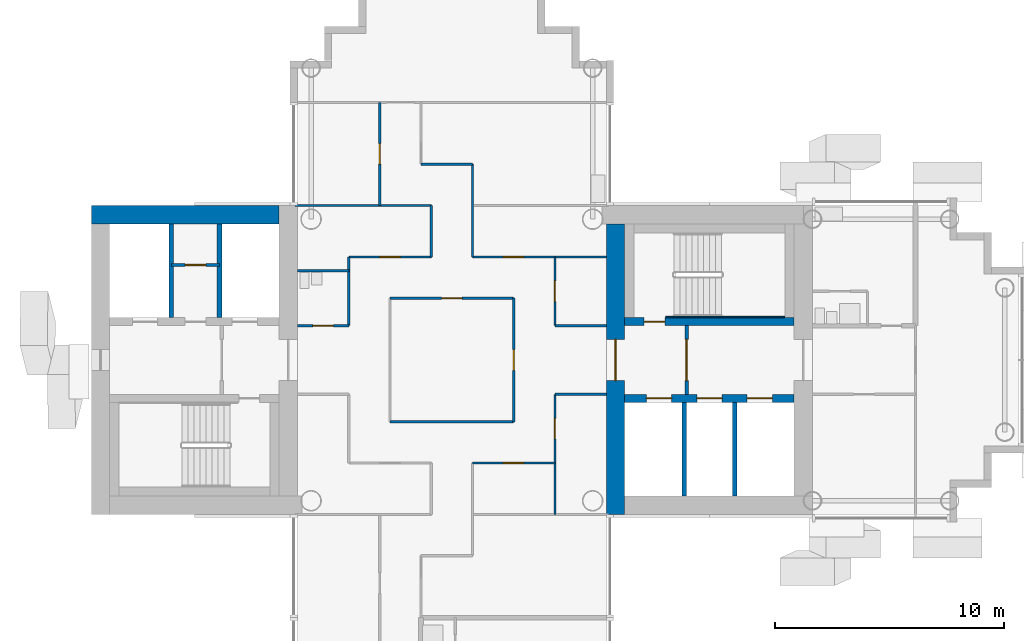
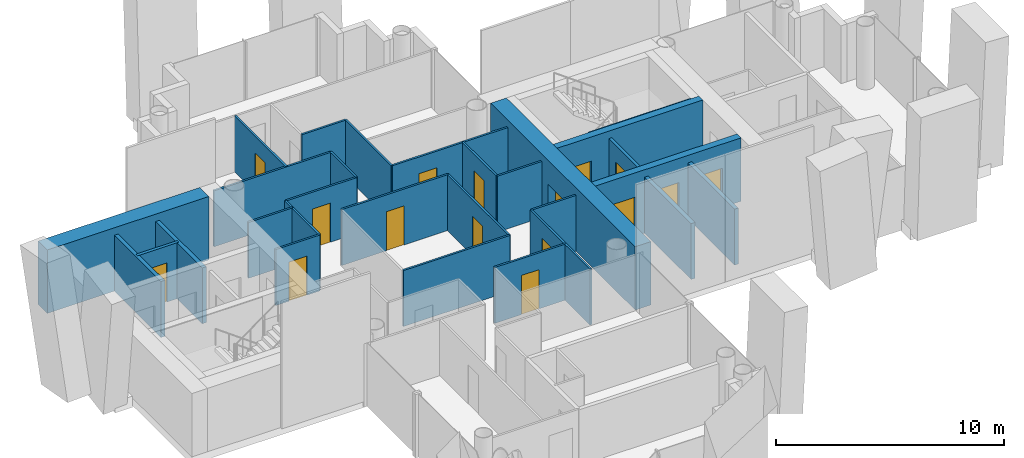
# One storey, part 7 of 19: 29 walls, 16 doors, 16 openings.
"""IFC4 building model written with IfcOpenShell, lengths in metres."""

from ifc_helpers import new_model, si_unit, direction, frame, frame_2d, origin, place, context, subcontext, project, spatial, rectangle, extrude, material, layer, layer_set, type_object, element, fill, save


model = new_model("IFC4")

# Units and contexts
model_context = context("Model", 3, precision=1e-05, world=origin(), true_north=direction((0.0, 1.0)))
body_context = subcontext(model_context, "Body", "Model", "MODEL_VIEW")
ifc_project = project(units=[si_unit("LENGTHUNIT", "METRE"), si_unit("AREAUNIT", "SQUARE_METRE"), si_unit("VOLUMEUNIT", "CUBIC_METRE"), si_unit("PLANEANGLEUNIT", "RADIAN"), si_unit("MASSUNIT", "GRAM", prefix="KILO")], contexts=[model_context])

# Site, building, storey
site_placement = place(None, origin())
site = spatial("IfcSite", under=ifc_project, at=site_placement, CompositionType="ELEMENT")
building_placement = place(site_placement, origin())
building = spatial("IfcBuilding", under=site, at=building_placement, Name="Ipe Terrace Towers", CompositionType="ELEMENT")
storey_placement = place(building_placement, frame((0.0, 0.0, 157.5)))
storey = spatial("IfcBuildingStorey", under=building, at=storey_placement, Name="L43", CompositionType="ELEMENT", Elevation=157.5)

# Wall
ifc_material_1 = material(Name="Gypsum board partition", Category="plasterboard")
ifc_layer_1 = layer(ifc_material_1, 0.10009765625)
ifc_layer_set_1 = layer_set([ifc_layer_1], Name="Gypsum board partition 100 mm")
wall_type_1 = type_object("IfcWallType", Name="Gypsum board partition 100 mm", PredefinedType="PARTITIONING", material=ifc_layer_set_1)
wall_1_placement = place(storey_placement, frame((-40.5, 1.5, 0.0), z_axis=(0.0, 0.0, 1.0), x_axis=(0.0, 1.0, 0.0)))
element("IfcWall", 1, at=wall_1_placement, inside=storey, type_object=wall_type_1, Name="Gypsum board partition T1 L43 W02", PredefinedType="PARTITIONING", context=body_context, shape_type="SweptSolid", body=[
    extrude(rectangle(XDim=3.0, YDim=0.10009765625, at=frame_2d((1.5, 0.0))), origin(), (0.0, 0.0, 1.0), 3.0),
])

# Wall, opening, door
wall_2_placement = place(storey_placement, frame((-39.14990234375, 6.75, 0.0), z_axis=(0.0, 0.0, 1.0), x_axis=(0.0, 1.0, 0.0)))
wall_2 = element("IfcWall", 2, at=wall_2_placement, inside=storey, type_object=wall_type_1, Name="Gypsum board partition T1 L43 W04", PredefinedType="PARTITIONING", context=body_context, shape_type="SweptSolid", body=[
    extrude(rectangle(XDim=4.5, YDim=0.10009765625, at=frame_2d((2.25, 0.0))), origin(), (0.0, 0.0, 1.0), 3.0),
])
opening_1_placement = place(wall_2_placement, frame((1.800048828125, 0.0, 0.0)))
opening_1 = element("IfcOpeningElement", 3, at=opening_1_placement, cuts=wall_2, Name="Opening T1-Z3C-10", PredefinedType="OPENING", context=body_context, shape_type="SweptSolid", body=[
    extrude(rectangle(XDim=0.89990234375, YDim=2.10009765625, at=frame_2d((0.449951171875, 1.050048828125))), frame((0.0, 0.06005859375, 0.0), z_axis=(0.0, -1.0, 0.0), x_axis=(1.0, 0.0, 0.0)), (0.0, 0.0, 1.0), 0.1201171875),
])
ifc_material_2 = material(Name="Timber door leaf", Category="wood")
door_type_1 = type_object("IfcDoorType", Name="Lounge door 900 x 2100", OperationType="NOTDEFINED", PredefinedType="DOOR", material=ifc_material_2)
door_1_placement = place(opening_1_placement, origin())
door_1 = element("IfcDoor", 4, at=door_1_placement, inside=storey, type_object=door_type_1, Name="Lounge door T1-Z3C-10", OperationType="SINGLE_SWING_LEFT", OverallHeight=2.10009765625, OverallWidth=0.89990234375, PredefinedType="DOOR", context=body_context, shape_type="SweptSolid", body=[
    extrude(rectangle(XDim=0.89990234375, YDim=2.10009765625, at=frame_2d((0.449951171875, 1.050048828125))), frame((0.0, 0.02490234375, 0.0), z_axis=(0.0, -1.0, 0.0), x_axis=(1.0, 0.0, 0.0)), (0.0, 0.0, 1.0), 0.050048828125),
])
fill(opening_1, door_1)

# Walls
wall_3_placement = place(storey_placement, frame((-36.89990234375, 4.5, 0.0), z_axis=(0.0, 0.0, 1.0), x_axis=(0.0, 1.0, 0.0)))
element("IfcWall", 5, at=wall_3_placement, inside=storey, type_object=wall_type_1, Name="Gypsum board partition T1 L43 W10", PredefinedType="PARTITIONING", context=body_context, shape_type="SweptSolid", body=[
    extrude(rectangle(XDim=2.25, YDim=0.10009765625, at=frame_2d((1.125, 0.0))), origin(), (0.0, 0.0, 1.0), 3.0),
])
wall_4_placement = place(storey_placement, frame((-35.10009765625, 4.5, 0.0), z_axis=(0.0, 0.0, 1.0), x_axis=(0.0, 1.0, 0.0)))
element("IfcWall", 6, at=wall_4_placement, inside=storey, type_object=wall_type_1, Name="Gypsum board partition T1 L43 W13", PredefinedType="PARTITIONING", context=body_context, shape_type="SweptSolid", body=[
    extrude(rectangle(XDim=4.050048828125, YDim=0.10009765625, at=frame_2d((2.02490234375, 0.0))), origin(), (0.0, 0.0, 1.0), 3.0),
])

# Wall, opening, door
wall_5_placement = place(storey_placement, frame((-33.300048828125, -2.699951171875, 0.0), z_axis=(0.0, 0.0, 1.0), x_axis=(0.0, 1.0, 0.0)))
wall_5 = element("IfcWall", 7, at=wall_5_placement, inside=storey, type_object=wall_type_1, Name="Gypsum board partition T1 L43 W14", PredefinedType="PARTITIONING", context=body_context, shape_type="SweptSolid", body=[
    extrude(rectangle(XDim=5.39990234375, YDim=0.10009765625, at=frame_2d((2.699951171875, 0.0))), origin(), (0.0, 0.0, 1.0), 3.0),
])
opening_2_placement = place(wall_5_placement, frame((2.25, 0.0, 0.0)))
opening_2 = element("IfcOpeningElement", 8, at=opening_2_placement, cuts=wall_5, Name="Opening T1-Z3C-02", PredefinedType="OPENING", context=body_context, shape_type="SweptSolid", body=[
    extrude(rectangle(XDim=0.89990234375, YDim=2.10009765625, at=frame_2d((0.449951171875, 1.050048828125))), frame((0.0, 0.06005859375, 0.0), z_axis=(0.0, -1.0, 0.0), x_axis=(1.0, 0.0, 0.0)), (0.0, 0.0, 1.0), 0.1201171875),
])
door_2_placement = place(opening_2_placement, origin())
door_2 = element("IfcDoor", 9, at=door_2_placement, inside=storey, type_object=door_type_1, Name="Lounge door T1-Z3C-02", OperationType="SINGLE_SWING_LEFT", OverallHeight=2.10009765625, OverallWidth=0.89990234375, PredefinedType="DOOR", context=body_context, shape_type="SweptSolid", body=[
    extrude(rectangle(XDim=0.89990234375, YDim=2.10009765625, at=frame_2d((0.449951171875, 1.050048828125))), frame((0.0, 0.02490234375, 0.0), z_axis=(0.0, -1.0, 0.0), x_axis=(1.0, 0.0, 0.0)), (0.0, 0.0, 1.0), 0.050048828125),
])
fill(opening_2, door_2)

wall_6_placement = place(storey_placement, frame((-31.5, -6.75, 0.0), z_axis=(0.0, 0.0, 1.0), x_axis=(0.0, 1.0, 0.0)))
wall_6 = element("IfcWall", 10, at=wall_6_placement, inside=storey, type_object=wall_type_1, Name="Gypsum board partition T1 L43 W15", PredefinedType="PARTITIONING", context=body_context, shape_type="SweptSolid", body=[
    extrude(rectangle(XDim=5.25, YDim=0.10009765625, at=frame_2d((2.625, 0.0))), origin(), (0.0, 0.0, 1.0), 3.0),
])
opening_3_placement = place(wall_6_placement, frame((3.300048828125, 0.0, 0.0)))
opening_3 = element("IfcOpeningElement", 11, at=opening_3_placement, cuts=wall_6, Name="Opening T1-Z3C-09", PredefinedType="OPENING", context=body_context, shape_type="SweptSolid", body=[
    extrude(rectangle(XDim=0.89990234375, YDim=2.10009765625, at=frame_2d((0.449951171875, 1.050048828125))), frame((0.0, 0.06005859375, 0.0), z_axis=(0.0, -1.0, 0.0), x_axis=(1.0, 0.0, 0.0)), (0.0, 0.0, 1.0), 0.1201171875),
])
door_3_placement = place(opening_3_placement, origin())
door_3 = element("IfcDoor", 12, at=door_3_placement, inside=storey, type_object=door_type_1, Name="Lounge door T1-Z3C-09", OperationType="SINGLE_SWING_RIGHT", OverallHeight=2.10009765625, OverallWidth=0.89990234375, PredefinedType="DOOR", context=body_context, shape_type="SweptSolid", body=[
    extrude(rectangle(XDim=0.89990234375, YDim=2.10009765625, at=frame_2d((0.449951171875, 1.050048828125))), frame((0.0, 0.02490234375, 0.0), z_axis=(0.0, -1.0, 0.0), x_axis=(1.0, 0.0, 0.0)), (0.0, 0.0, 1.0), 0.050048828125),
])
fill(opening_3, door_3)

wall_7_placement = place(storey_placement, frame((-31.5, 1.5, 0.0), z_axis=(0.0, 0.0, 1.0), x_axis=(0.0, 1.0, 0.0)))
wall_7 = element("IfcWall", 13, at=wall_7_placement, inside=storey, type_object=wall_type_1, Name="Gypsum board partition T1 L43 W16", PredefinedType="PARTITIONING", context=body_context, shape_type="SweptSolid", body=[
    extrude(rectangle(XDim=3.0, YDim=0.10009765625, at=frame_2d((1.5, 0.0))), origin(), (0.0, 0.0, 1.0), 3.0),
])
opening_4_placement = place(wall_7_placement, frame((1.050048828125, 0.0, 0.0)))
opening_4 = element("IfcOpeningElement", 14, at=opening_4_placement, cuts=wall_7, Name="Opening T1-Z3C-05", PredefinedType="OPENING", context=body_context, shape_type="SweptSolid", body=[
    extrude(rectangle(XDim=0.89990234375, YDim=2.10009765625, at=frame_2d((0.449951171875, 1.050048828125))), frame((0.0, 0.06005859375, 0.0), z_axis=(0.0, -1.0, 0.0), x_axis=(1.0, 0.0, 0.0)), (0.0, 0.0, 1.0), 0.1201171875),
])
door_4_placement = place(opening_4_placement, origin())
door_4 = element("IfcDoor", 15, at=door_4_placement, inside=storey, type_object=door_type_1, Name="Lounge door T1-Z3C-05", OperationType="SINGLE_SWING_RIGHT", OverallHeight=2.10009765625, OverallWidth=0.89990234375, PredefinedType="DOOR", context=body_context, shape_type="SweptSolid", body=[
    extrude(rectangle(XDim=0.89990234375, YDim=2.10009765625, at=frame_2d((0.449951171875, 1.050048828125))), frame((0.0, 0.02490234375, 0.0), z_axis=(0.0, -1.0, 0.0), x_axis=(1.0, 0.0, 0.0)), (0.0, 0.0, 1.0), 0.050048828125),
])
fill(opening_4, door_4)

wall_8_placement = place(storey_placement, frame((-35.10009765625, -4.5, 0.0), z_axis=(0.0, 0.0, 1.0), x_axis=(1.0, 0.0, 0.0)))
wall_8 = element("IfcWall", 16, at=wall_8_placement, inside=storey, type_object=wall_type_1, Name="Gypsum board partition T1 L43 W28", PredefinedType="PARTITIONING", context=body_context, shape_type="SweptSolid", body=[
    extrude(rectangle(XDim=3.60009765625, YDim=0.10009765625, at=frame_2d((1.800048828125, 0.0))), origin(), (0.0, 0.0, 1.0), 3.0),
])
opening_5_placement = place(wall_8_placement, frame((1.35009765625, 0.0, 0.0)))
opening_5 = element("IfcOpeningElement", 17, at=opening_5_placement, cuts=wall_8, Name="Opening T1-Z3C-08", PredefinedType="OPENING", context=body_context, shape_type="SweptSolid", body=[
    extrude(rectangle(XDim=0.89990234375, YDim=2.10009765625, at=frame_2d((0.449951171875, 1.050048828125))), frame((0.0, 0.06005859375, 0.0), z_axis=(0.0, -1.0, 0.0), x_axis=(1.0, 0.0, 0.0)), (0.0, 0.0, 1.0), 0.1201171875),
])
door_5_placement = place(opening_5_placement, origin())
door_5 = element("IfcDoor", 18, at=door_5_placement, inside=storey, type_object=door_type_1, Name="Lounge door T1-Z3C-08", OperationType="SINGLE_SWING_RIGHT", OverallHeight=2.10009765625, OverallWidth=0.89990234375, PredefinedType="DOOR", context=body_context, shape_type="SweptSolid", body=[
    extrude(rectangle(XDim=0.89990234375, YDim=2.10009765625, at=frame_2d((0.449951171875, 1.050048828125))), frame((0.0, 0.02490234375, 0.0), z_axis=(0.0, -1.0, 0.0), x_axis=(1.0, 0.0, 0.0)), (0.0, 0.0, 1.0), 0.050048828125),
])
fill(opening_5, door_5)

# Walls
wall_9_placement = place(storey_placement, frame((-38.699951171875, -2.699951171875, 0.0), z_axis=(0.0, 0.0, 1.0), x_axis=(1.0, 0.0, 0.0)))
element("IfcWall", 19, at=wall_9_placement, inside=storey, type_object=wall_type_1, Name="Gypsum board partition T1 L43 W29", PredefinedType="PARTITIONING", context=body_context, shape_type="SweptSolid", body=[
    extrude(rectangle(XDim=5.39990234375, YDim=0.10009765625, at=frame_2d((2.699951171875, 0.0))), origin(), (0.0, 0.0, 1.0), 3.0),
])
wall_10_placement = place(storey_placement, frame((-31.5, -1.5, 0.0), z_axis=(0.0, 0.0, 1.0), x_axis=(1.0, 0.0, 0.0)))
element("IfcWall", 20, at=wall_10_placement, inside=storey, type_object=wall_type_1, Name="Gypsum board partition T1 L43 W31", PredefinedType="PARTITIONING", context=body_context, shape_type="SweptSolid", body=[
    extrude(rectangle(XDim=2.25, YDim=0.10009765625, at=frame_2d((1.125, 0.0))), origin(), (0.0, 0.0, 1.0), 3.0),
])

# Wall, opening, door
wall_11_placement = place(storey_placement, frame((-42.75, 1.5, 0.0), z_axis=(0.0, 0.0, 1.0), x_axis=(1.0, 0.0, 0.0)))
wall_11 = element("IfcWall", 21, at=wall_11_placement, inside=storey, type_object=wall_type_1, Name="Gypsum board partition T1 L43 W33", PredefinedType="PARTITIONING", context=body_context, shape_type="SweptSolid", body=[
    extrude(rectangle(XDim=2.25, YDim=0.10009765625, at=frame_2d((1.125, 0.0))), origin(), (0.0, 0.0, 1.0), 3.0),
])
opening_6_placement = place(wall_11_placement, frame((0.675048828125, 0.0, 0.0)))
opening_6 = element("IfcOpeningElement", 22, at=opening_6_placement, cuts=wall_11, Name="Opening T1-Z3C-03", PredefinedType="OPENING", context=body_context, shape_type="SweptSolid", body=[
    extrude(rectangle(XDim=0.89990234375, YDim=2.10009765625, at=frame_2d((0.449951171875, 1.050048828125))), frame((0.0, 0.06005859375, 0.0), z_axis=(0.0, -1.0, 0.0), x_axis=(1.0, 0.0, 0.0)), (0.0, 0.0, 1.0), 0.1201171875),
])
ifc_material_3 = material(Name="Timber door leaf", Category="wood")
door_type_2 = type_object("IfcDoorType", Name="Bathroom door 900 x 2100", OperationType="NOTDEFINED", PredefinedType="DOOR", material=ifc_material_3)
door_6_placement = place(opening_6_placement, origin())
door_6 = element("IfcDoor", 23, at=door_6_placement, inside=storey, type_object=door_type_2, Name="Bathroom door T1-Z3C-03", OperationType="SINGLE_SWING_LEFT", OverallHeight=2.10009765625, OverallWidth=0.89990234375, PredefinedType="DOOR", context=body_context, shape_type="SweptSolid", body=[
    extrude(rectangle(XDim=0.89990234375, YDim=2.10009765625, at=frame_2d((0.449951171875, 1.050048828125))), frame((0.0, 0.02490234375, 0.0), z_axis=(0.0, -1.0, 0.0), x_axis=(1.0, 0.0, 0.0)), (0.0, 0.0, 1.0), 0.050048828125),
])
fill(opening_6, door_6)

# Wall
wall_12_placement = place(storey_placement, frame((-31.5, 1.5, 0.0), z_axis=(0.0, 0.0, 1.0), x_axis=(1.0, 0.0, 0.0)))
element("IfcWall", 24, at=wall_12_placement, inside=storey, type_object=wall_type_1, Name="Gypsum board partition T1 L43 W34", PredefinedType="PARTITIONING", context=body_context, shape_type="SweptSolid", body=[
    extrude(rectangle(XDim=2.25, YDim=0.10009765625, at=frame_2d((1.125, 0.0))), origin(), (0.0, 0.0, 1.0), 3.0),
])

# Wall, opening, door
wall_13_placement = place(storey_placement, frame((-38.699951171875, 2.699951171875, 0.0), z_axis=(0.0, 0.0, 1.0), x_axis=(1.0, 0.0, 0.0)))
wall_13 = element("IfcWall", 25, at=wall_13_placement, inside=storey, type_object=wall_type_1, Name="Gypsum board partition T1 L43 W36", PredefinedType="PARTITIONING", context=body_context, shape_type="SweptSolid", body=[
    extrude(rectangle(XDim=5.39990234375, YDim=0.10009765625, at=frame_2d((2.699951171875, 0.0))), origin(), (0.0, 0.0, 1.0), 3.0),
])
opening_7_placement = place(wall_13_placement, frame((2.25, 0.0, 0.0)))
opening_7 = element("IfcOpeningElement", 26, at=opening_7_placement, cuts=wall_13, Name="Opening T1-Z3C-01", PredefinedType="OPENING", context=body_context, shape_type="SweptSolid", body=[
    extrude(rectangle(XDim=0.89990234375, YDim=2.10009765625, at=frame_2d((0.449951171875, 1.050048828125))), frame((0.0, 0.06005859375, 0.0), z_axis=(0.0, -1.0, 0.0), x_axis=(1.0, 0.0, 0.0)), (0.0, 0.0, 1.0), 0.1201171875),
])
door_7_placement = place(opening_7_placement, origin())
door_7 = element("IfcDoor", 27, at=door_7_placement, inside=storey, type_object=door_type_1, Name="Lounge door T1-Z3C-01", OperationType="SINGLE_SWING_RIGHT", OverallHeight=2.10009765625, OverallWidth=0.89990234375, PredefinedType="DOOR", context=body_context, shape_type="SweptSolid", body=[
    extrude(rectangle(XDim=0.89990234375, YDim=2.10009765625, at=frame_2d((0.449951171875, 1.050048828125))), frame((0.0, 0.02490234375, 0.0), z_axis=(0.0, -1.0, 0.0), x_axis=(1.0, 0.0, 0.0)), (0.0, 0.0, 1.0), 0.050048828125),
])
fill(opening_7, door_7)

# Wall
wall_14_placement = place(storey_placement, frame((-42.75, 3.89990234375, 0.0), z_axis=(0.0, 0.0, 1.0), x_axis=(1.0, 0.0, 0.0)))
element("IfcWall", 28, at=wall_14_placement, inside=storey, type_object=wall_type_1, Name="Gypsum board partition T1 L43 W38", PredefinedType="PARTITIONING", context=body_context, shape_type="SweptSolid", body=[
    extrude(rectangle(XDim=2.25, YDim=0.10009765625, at=frame_2d((1.125, 0.0))), origin(), (0.0, 0.0, 1.0), 3.0),
])

# Wall, opening, door
wall_15_placement = place(storey_placement, frame((-40.5, 4.5, 0.0), z_axis=(0.0, 0.0, 1.0), x_axis=(1.0, 0.0, 0.0)))
wall_15 = element("IfcWall", 29, at=wall_15_placement, inside=storey, type_object=wall_type_1, Name="Gypsum board partition T1 L43 W39", PredefinedType="PARTITIONING", context=body_context, shape_type="SweptSolid", body=[
    extrude(rectangle(XDim=3.60009765625, YDim=0.10009765625, at=frame_2d((1.800048828125, 0.0))), origin(), (0.0, 0.0, 1.0), 3.0),
])
opening_8_placement = place(wall_15_placement, frame((1.35009765625, 0.0, 0.0)))
opening_8 = element("IfcOpeningElement", 30, at=opening_8_placement, cuts=wall_15, Name="Opening T1-Z3C-06", PredefinedType="OPENING", context=body_context, shape_type="SweptSolid", body=[
    extrude(rectangle(XDim=0.89990234375, YDim=2.10009765625, at=frame_2d((0.449951171875, 1.050048828125))), frame((0.0, 0.06005859375, 0.0), z_axis=(0.0, -1.0, 0.0), x_axis=(1.0, 0.0, 0.0)), (0.0, 0.0, 1.0), 0.1201171875),
])
door_8_placement = place(opening_8_placement, origin())
door_8 = element("IfcDoor", 31, at=door_8_placement, inside=storey, type_object=door_type_1, Name="Lounge door T1-Z3C-06", OperationType="SINGLE_SWING_RIGHT", OverallHeight=2.10009765625, OverallWidth=0.89990234375, PredefinedType="DOOR", context=body_context, shape_type="SweptSolid", body=[
    extrude(rectangle(XDim=0.89990234375, YDim=2.10009765625, at=frame_2d((0.449951171875, 1.050048828125))), frame((0.0, 0.02490234375, 0.0), z_axis=(0.0, -1.0, 0.0), x_axis=(1.0, 0.0, 0.0)), (0.0, 0.0, 1.0), 0.050048828125),
])
fill(opening_8, door_8)

wall_16_placement = place(storey_placement, frame((-35.10009765625, 4.5, 0.0), z_axis=(0.0, 0.0, 1.0), x_axis=(1.0, 0.0, 0.0)))
wall_16 = element("IfcWall", 32, at=wall_16_placement, inside=storey, type_object=wall_type_1, Name="Gypsum board partition T1 L43 W40", PredefinedType="PARTITIONING", context=body_context, shape_type="SweptSolid", body=[
    extrude(rectangle(XDim=5.85009765625, YDim=0.10009765625, at=frame_2d((2.925048828125, 0.0))), origin(), (0.0, 0.0, 1.0), 3.0),
])
opening_9_placement = place(wall_16_placement, frame((1.35009765625, 0.0, 0.0)))
opening_9 = element("IfcOpeningElement", 33, at=opening_9_placement, cuts=wall_16, Name="Opening T1-Z3C-04", PredefinedType="OPENING", context=body_context, shape_type="SweptSolid", body=[
    extrude(rectangle(XDim=0.89990234375, YDim=2.10009765625, at=frame_2d((0.449951171875, 1.050048828125))), frame((0.0, 0.06005859375, 0.0), z_axis=(0.0, -1.0, 0.0), x_axis=(1.0, 0.0, 0.0)), (0.0, 0.0, 1.0), 0.1201171875),
])
door_9_placement = place(opening_9_placement, origin())
door_9 = element("IfcDoor", 34, at=door_9_placement, inside=storey, type_object=door_type_1, Name="Lounge door T1-Z3C-04", OperationType="SINGLE_SWING_RIGHT", OverallHeight=2.10009765625, OverallWidth=0.89990234375, PredefinedType="DOOR", context=body_context, shape_type="SweptSolid", body=[
    extrude(rectangle(XDim=0.89990234375, YDim=2.10009765625, at=frame_2d((0.449951171875, 1.050048828125))), frame((0.0, 0.02490234375, 0.0), z_axis=(0.0, -1.0, 0.0), x_axis=(1.0, 0.0, 0.0)), (0.0, 0.0, 1.0), 0.050048828125),
])
fill(opening_9, door_9)

# Walls
wall_17_placement = place(storey_placement, frame((-42.85009765625, 6.75, 0.0), z_axis=(0.0, 0.0, 1.0), x_axis=(1.0, 0.0, 0.0)))
element("IfcWall", 35, at=wall_17_placement, inside=storey, type_object=wall_type_1, Name="Gypsum board partition T1 L43 W41", PredefinedType="PARTITIONING", context=body_context, shape_type="SweptSolid", body=[
    extrude(rectangle(XDim=5.9501953125, YDim=0.10009765625, at=frame_2d((2.97509765625, 0.0))), origin(), (0.0, 0.0, 1.0), 3.0),
])
wall_18_placement = place(storey_placement, frame((-37.35009765625, 8.550048828125, 0.0), z_axis=(0.0, 0.0, 1.0), x_axis=(1.0, 0.0, 0.0)))
element("IfcWall", 36, at=wall_18_placement, inside=storey, type_object=wall_type_1, Name="Gypsum board partition T1 L43 W43", PredefinedType="PARTITIONING", context=body_context, shape_type="SweptSolid", body=[
    extrude(rectangle(XDim=2.25, YDim=0.10009765625, at=frame_2d((1.125, 0.0))), origin(), (0.0, 0.0, 1.0), 3.0),
])

# Wall, opening, door
ifc_material_4 = material(Name="Gypsum board partition", Category="plasterboard")
ifc_layer_2 = layer(ifc_material_4, 0.14990234375)
ifc_layer_set_2 = layer_set([ifc_layer_2], Name="Gypsum board partition 150 mm")
wall_type_2 = type_object("IfcWallType", Name="Gypsum board partition 150 mm", PredefinedType="PARTITIONING", material=ifc_layer_set_2)
wall_19_placement = place(storey_placement, frame((-25.75, -1.5, 0.0), z_axis=(0.0, 0.0, 1.0), x_axis=(0.0, 1.0, 0.0)))
wall_19 = element("IfcWall", 37, at=wall_19_placement, inside=storey, type_object=wall_type_2, Name="Gypsum board partition T1 L43 t1c1-lobby-wall", PredefinedType="PARTITIONING", context=body_context, shape_type="SweptSolid", body=[
    extrude(rectangle(XDim=3.0, YDim=0.14990234375, at=frame_2d((1.5, 0.0))), origin(), (0.0, 0.0, 1.0), 3.0),
])
opening_10_placement = place(wall_19_placement, frame((0.60009765625, 0.0, 0.0)))
opening_10 = element("IfcOpeningElement", 38, at=opening_10_placement, cuts=wall_19, Name="Opening T1C1-VD", PredefinedType="OPENING", context=body_context, shape_type="SweptSolid", body=[
    extrude(rectangle(XDim=1.800048828125, YDim=2.10009765625, at=frame_2d((0.89990234375, 1.050048828125))), frame((0.0, 0.0849609375, 0.0), z_axis=(0.0, -1.0, 0.0), x_axis=(1.0, 0.0, 0.0)), (0.0, 0.0, 1.0), 0.169921875),
])
ifc_material_5 = material(Name="Fire-rated timber door leaf", Category="wood")
door_type_3 = type_object("IfcDoorType", Name="Lobby door 1800 x 2100 FD60", OperationType="NOTDEFINED", PredefinedType="DOOR", material=ifc_material_5)
door_10_placement = place(opening_10_placement, origin())
door_10 = element("IfcDoor", 39, at=door_10_placement, inside=storey, type_object=door_type_3, Name="Lobby door T1C1-VD", OperationType="SINGLE_SWING_LEFT", OverallHeight=2.10009765625, OverallWidth=1.800048828125, PredefinedType="DOOR", context=body_context, shape_type="SweptSolid", body=[
    extrude(rectangle(XDim=1.800048828125, YDim=2.10009765625, at=frame_2d((0.89990234375, 1.050048828125))), frame((0.0, 0.02490234375, 0.0), z_axis=(0.0, -1.0, 0.0), x_axis=(1.0, 0.0, 0.0)), (0.0, 0.0, 1.0), 0.050048828125),
])
fill(opening_10, door_10)

wall_20_placement = place(storey_placement, frame((-46.14990234375, 4.14990234375, 0.0), z_axis=(0.0, 0.0, 1.0), x_axis=(-1.0, 0.0, 0.0)))
wall_20 = element("IfcWall", 40, at=wall_20_placement, inside=storey, type_object=wall_type_2, Name="Gypsum board partition T1 L43 t1c2-q-back", PredefinedType="PARTITIONING", context=body_context, shape_type="SweptSolid", body=[
    extrude(rectangle(XDim=2.10009765625, YDim=0.14990234375, at=frame_2d((1.050048828125, 0.0))), origin(), (0.0, 0.0, 1.0), 3.0),
])
opening_11_placement = place(wall_20_placement, frame((0.60009765625, 0.0, 0.0)))
opening_11 = element("IfcOpeningElement", 41, at=opening_11_placement, cuts=wall_20, Name="Opening T1C2-RB", PredefinedType="OPENING", context=body_context, shape_type="SweptSolid", body=[
    extrude(rectangle(XDim=0.89990234375, YDim=2.10009765625, at=frame_2d((0.449951171875, 1.050048828125))), frame((0.0, 0.0849609375, 0.0), z_axis=(0.0, -1.0, 0.0), x_axis=(1.0, 0.0, 0.0)), (0.0, 0.0, 1.0), 0.169921875),
])
ifc_material_6 = material(Name="Fire-rated timber door leaf", Category="wood")
door_type_4 = type_object("IfcDoorType", Name="Service door 900 x 2100 FD60", OperationType="NOTDEFINED", PredefinedType="DOOR", material=ifc_material_6)
door_11_placement = place(opening_11_placement, origin())
door_11 = element("IfcDoor", 42, at=door_11_placement, inside=storey, type_object=door_type_4, Name="Service door T1C2-RB", OperationType="SINGLE_SWING_LEFT", OverallHeight=2.10009765625, OverallWidth=0.89990234375, PredefinedType="DOOR", context=body_context, shape_type="SweptSolid", body=[
    extrude(rectangle(XDim=0.89990234375, YDim=2.10009765625, at=frame_2d((0.449951171875, 1.050048828125))), frame((0.0, 0.02490234375, 0.0), z_axis=(0.0, -1.0, 0.0), x_axis=(1.0, 0.0, 0.0)), (0.0, 0.0, 1.0), 0.050048828125),
])
fill(opening_11, door_11)

# Walls
ifc_material_7 = material(Name="Gypsum board party wall", Category="plasterboard")
ifc_layer_3 = layer(ifc_material_7, 0.199951171875)
ifc_layer_set_3 = layer_set([ifc_layer_3], Name="Gypsum board party wall 200 mm")
wall_type_3 = type_object("IfcWallType", Name="Gypsum board party wall 200 mm", PredefinedType="SOLIDWALL", material=ifc_layer_set_3)
for number, where, z_axis, x_axis, name in (
    (43, (-25.85009765625, -5.949951171875, 0.0), (0.0, 0.0, 1.0), (0.0, 1.0, 0.0), "Gypsum board party wall T1 L43 t1c1-shaft-div1"),
    (44, (-23.64990234375, -5.949951171875, 0.0), (0.0, 0.0, 1.0), (0.0, 1.0, 0.0), "Gypsum board party wall T1 L43 t1c1-shaft-div2"),
    (45, (-48.25, 5.949951171875, 0.0), (0.0, 0.0, 1.0), (0.0, -1.0, 0.0), "Gypsum board party wall T1 L43 t1c2-shaft-div2"),
    (46, (-46.14990234375, 5.949951171875, 0.0), (0.0, 0.0, 1.0), (0.0, -1.0, 0.0), "Gypsum board party wall T1 L43 t1c2-shaft-div1"),
):
    element("IfcWall", number, at=place(storey_placement, frame(where, z_axis=z_axis, x_axis=x_axis)), inside=storey, type_object=wall_type_3, Name=name, PredefinedType="SOLIDWALL", context=body_context, shape_type="SweptSolid", body=[
        extrude(rectangle(XDim=4.099853515625, YDim=0.199951171875, at=frame_2d((2.0498046875, 0.0))), origin(), (0.0, 0.0, 1.0), 3.0),
    ])

# Wall, openings, doors
ifc_material_8 = material(Name="Concrete C50/60", Category="concrete")
ifc_layer_4 = layer(ifc_material_8, 0.35009765625)
ifc_layer_set_4 = layer_set([ifc_layer_4], Name="RW350 CORE SPINE WALL 350 C50-60")
wall_type_4 = type_object("IfcWallType", Name="RW350 CORE SPINE WALL 350 C50-60", PredefinedType="SHEAR", material=ifc_layer_set_4)
wall_21_placement = place(storey_placement, frame((-28.449951171875, -1.675048828125, 0.0), z_axis=(0.0, 0.0, 1.0), x_axis=(1.0, 0.0, 0.0)))
wall_21 = element("IfcWall", 47, at=wall_21_placement, inside=storey, type_object=wall_type_4, Name="Core spine wall T1-C1-Z3-SW1", PredefinedType="SHEAR", context=body_context, shape_type="SweptSolid", body=[
    extrude(rectangle(XDim=7.39990234375, YDim=0.35009765625, at=frame_2d((3.699951171875, 0.0))), origin(), (0.0, 0.0, 1.0), 3.39990234375),
])
opening_12_placement = place(wall_21_placement, frame((0.949951171875, 0.0, 0.0)))
opening_12 = element("IfcOpeningElement", 48, at=opening_12_placement, cuts=wall_21, Name="Opening T1C1-LD1", PredefinedType="OPENING", context=body_context, shape_type="SweptSolid", body=[
    extrude(rectangle(XDim=1.10009765625, YDim=2.10009765625, at=frame_2d((0.550048828125, 1.050048828125))), frame((0.0, 0.18505859375, 0.0), z_axis=(0.0, -1.0, 0.0), x_axis=(1.0, 0.0, 0.0)), (0.0, 0.0, 1.0), 0.3701171875),
])
opening_13_placement = place(wall_21_placement, frame((3.14990234375, 0.0, 0.0)))
opening_13 = element("IfcOpeningElement", 49, at=opening_13_placement, cuts=wall_21, Name="Opening T1C1-LD2", PredefinedType="OPENING", context=body_context, shape_type="SweptSolid", body=[
    extrude(rectangle(XDim=1.10009765625, YDim=2.10009765625, at=frame_2d((0.550048828125, 1.050048828125))), frame((0.0, 0.18505859375, 0.0), z_axis=(0.0, -1.0, 0.0), x_axis=(1.0, 0.0, 0.0)), (0.0, 0.0, 1.0), 0.3701171875),
])
opening_14_placement = place(wall_21_placement, frame((5.35009765625, 0.0, 0.0)))
opening_14 = element("IfcOpeningElement", 50, at=opening_14_placement, cuts=wall_21, Name="Opening T1C1-LD3", PredefinedType="OPENING", context=body_context, shape_type="SweptSolid", body=[
    extrude(rectangle(XDim=1.10009765625, YDim=2.10009765625, at=frame_2d((0.550048828125, 1.050048828125))), frame((0.0, 0.18505859375, 0.0), z_axis=(0.0, -1.0, 0.0), x_axis=(1.0, 0.0, 0.0)), (0.0, 0.0, 1.0), 0.3701171875),
])
ifc_material_9 = material(Name="Fire-rated timber door leaf", Category="wood")
door_type_5 = type_object("IfcDoorType", Name="Sliding door 1100 x 2100 FD60", OperationType="SLIDING_TO_LEFT", PredefinedType="DOOR", material=ifc_material_9)
door_12_placement = place(opening_12_placement, origin())
door_12 = element("IfcDoor", 51, at=door_12_placement, inside=storey, type_object=door_type_5, Name="Sliding door T1C1-LD1", OperationType="SLIDING_TO_LEFT", OverallHeight=2.10009765625, OverallWidth=1.10009765625, PredefinedType="DOOR", context=body_context, shape_type="SweptSolid", body=[
    extrude(rectangle(XDim=1.10009765625, YDim=2.10009765625, at=frame_2d((0.550048828125, 1.050048828125))), frame((0.0, 0.02490234375, 0.0), z_axis=(0.0, -1.0, 0.0), x_axis=(1.0, 0.0, 0.0)), (0.0, 0.0, 1.0), 0.050048828125),
])
fill(opening_12, door_12)
door_13_placement = place(opening_13_placement, origin())
door_13 = element("IfcDoor", 52, at=door_13_placement, inside=storey, type_object=door_type_5, Name="Sliding door T1C1-LD2", OperationType="SLIDING_TO_LEFT", OverallHeight=2.10009765625, OverallWidth=1.10009765625, PredefinedType="DOOR", context=body_context, shape_type="SweptSolid", body=[
    extrude(rectangle(XDim=1.10009765625, YDim=2.10009765625, at=frame_2d((0.550048828125, 1.050048828125))), frame((0.0, 0.02490234375, 0.0), z_axis=(0.0, -1.0, 0.0), x_axis=(1.0, 0.0, 0.0)), (0.0, 0.0, 1.0), 0.050048828125),
])
fill(opening_13, door_13)
door_14_placement = place(opening_14_placement, origin())
door_14 = element("IfcDoor", 53, at=door_14_placement, inside=storey, type_object=door_type_5, Name="Sliding door T1C1-LD3", OperationType="SLIDING_TO_LEFT", OverallHeight=2.10009765625, OverallWidth=1.10009765625, PredefinedType="DOOR", context=body_context, shape_type="SweptSolid", body=[
    extrude(rectangle(XDim=1.10009765625, YDim=2.10009765625, at=frame_2d((0.550048828125, 1.050048828125))), frame((0.0, 0.02490234375, 0.0), z_axis=(0.0, -1.0, 0.0), x_axis=(1.0, 0.0, 0.0)), (0.0, 0.0, 1.0), 0.050048828125),
])
fill(opening_14, door_14)

# Wall, opening, door
wall_22_placement = place(storey_placement, frame((-28.449951171875, 1.675048828125, 0.0), z_axis=(0.0, 0.0, 1.0), x_axis=(1.0, 0.0, 0.0)))
wall_22 = element("IfcWall", 54, at=wall_22_placement, inside=storey, type_object=wall_type_4, Name="Core spine wall T1-C1-Z3-SW2", PredefinedType="SHEAR", context=body_context, shape_type="SweptSolid", body=[
    extrude(rectangle(XDim=7.39990234375, YDim=0.35009765625, at=frame_2d((3.699951171875, 0.0))), origin(), (0.0, 0.0, 1.0), 3.39990234375),
])
opening_15_placement = place(wall_22_placement, frame((0.85009765625, 0.0, 0.0)))
opening_15 = element("IfcOpeningElement", 55, at=opening_15_placement, cuts=wall_22, Name="Opening T1C1-SD", PredefinedType="OPENING", context=body_context, shape_type="SweptSolid", body=[
    extrude(rectangle(XDim=0.89990234375, YDim=2.10009765625, at=frame_2d((0.449951171875, 1.050048828125))), frame((0.0, 0.18505859375, 0.0), z_axis=(0.0, -1.0, 0.0), x_axis=(1.0, 0.0, 0.0)), (0.0, 0.0, 1.0), 0.3701171875),
])
ifc_material_10 = material(Name="Fire-rated timber door leaf", Category="wood")
door_type_6 = type_object("IfcDoorType", Name="Stair door 900 x 2100 FD60", OperationType="NOTDEFINED", PredefinedType="DOOR", material=ifc_material_10)
door_15_placement = place(opening_15_placement, origin())
door_15 = element("IfcDoor", 56, at=door_15_placement, inside=storey, type_object=door_type_6, Name="Stair door T1C1-SD", OperationType="SINGLE_SWING_LEFT", OverallHeight=2.10009765625, OverallWidth=0.89990234375, PredefinedType="DOOR", context=body_context, shape_type="SweptSolid", body=[
    extrude(rectangle(XDim=0.89990234375, YDim=2.10009765625, at=frame_2d((0.449951171875, 1.050048828125))), frame((0.0, 0.02490234375, 0.0), z_axis=(0.0, -1.0, 0.0), x_axis=(1.0, 0.0, 0.0)), (0.0, 0.0, 1.0), 0.050048828125),
])
fill(opening_15, door_15)

# Wall
ifc_material_11 = material(Name="Concrete C50/60", Category="concrete")
ifc_layer_5 = layer(ifc_material_11, 0.050048828125)
ifc_layer_set_5 = layer_set([ifc_layer_5], Name="RW50 CORE INFILL WALL 50 C50-60")
wall_type_5 = type_object("IfcWallType", Name="RW50 CORE INFILL WALL 50 C50-60", PredefinedType="SHEAR", material=ifc_layer_set_5)
wall_23_placement = place(storey_placement, frame((-26.64990234375, 1.875, 0.0), z_axis=(0.0, 0.0, 1.0), x_axis=(1.0, 0.0, 0.0)))
element("IfcWall", 57, at=wall_23_placement, inside=storey, type_object=wall_type_5, Name="Core infill wall T1-C1-spine-b", PredefinedType="SHEAR", context=body_context, shape_type="SweptSolid", body=[
    extrude(rectangle(XDim=5.199951171875, YDim=0.050048828125, at=frame_2d((2.60009765625, 0.0))), origin(), (0.0, 0.0, 1.0), 3.39990234375),
])

# Wall, opening, door
ifc_material_12 = material(Name="Concrete C50/60", Category="concrete")
ifc_layer_6 = layer(ifc_material_12, 0.800048828125)
ifc_layer_set_6 = layer_set([ifc_layer_6], Name="RW800 CORE WALL 800 C50-60")
wall_type_6 = type_object("IfcWallType", Name="RW800 CORE WALL 800 C50-60", PredefinedType="SHEAR", material=ifc_layer_set_6)
wall_24_placement = place(storey_placement, frame((-28.85009765625, 5.949951171875, 0.0), z_axis=(0.0, 0.0, 1.0), x_axis=(0.0, -1.0, 0.0)))
wall_24 = element("IfcWall", 58, at=wall_24_placement, inside=storey, type_object=wall_type_6, Name="Core wall T1-C1-Z3-W04", PredefinedType="SHEAR", context=body_context, shape_type="SweptSolid", body=[
    extrude(rectangle(XDim=12.699951171875, YDim=0.800048828125, at=frame_2d((6.35009765625, 0.0))), origin(), (0.0, 0.0, 1.0), 3.39990234375),
])
opening_16_placement = place(wall_24_placement, frame((5.050048828125, 0.0, 0.0)))
opening_16 = element("IfcOpeningElement", 59, at=opening_16_placement, cuts=wall_24, Name="Opening T1C1-ND", PredefinedType="OPENING", context=body_context, shape_type="SweptSolid", body=[
    extrude(rectangle(XDim=1.800048828125, YDim=2.10009765625, at=frame_2d((0.89990234375, 1.050048828125))), frame((0.0, 0.41015625, 0.0), z_axis=(0.0, -1.0, 0.0), x_axis=(1.0, 0.0, 0.0)), (0.0, 0.0, 1.0), 0.820068359375),
])
ifc_material_13 = material(Name="Fire-rated timber door leaf", Category="wood")
door_type_7 = type_object("IfcDoorType", Name="Fire door 1800 x 2100 FD30S", OperationType="NOTDEFINED", PredefinedType="DOOR", material=ifc_material_13)
door_16_placement = place(opening_16_placement, origin())
door_16 = element("IfcDoor", 60, at=door_16_placement, inside=storey, type_object=door_type_7, Name="Fire door T1C1-ND", OperationType="SINGLE_SWING_LEFT", OverallHeight=2.10009765625, OverallWidth=1.800048828125, PredefinedType="DOOR", context=body_context, shape_type="SweptSolid", body=[
    extrude(rectangle(XDim=1.800048828125, YDim=2.10009765625, at=frame_2d((0.89990234375, 1.050048828125))), frame((0.0, 0.02490234375, 0.0), z_axis=(0.0, -1.0, 0.0), x_axis=(1.0, 0.0, 0.0)), (0.0, 0.0, 1.0), 0.050048828125),
])
fill(opening_16, door_16)

# Wall
wall_25_placement = place(storey_placement, frame((-43.550048828125, 6.35009765625, 0.0), z_axis=(0.0, 0.0, 1.0), x_axis=(-1.0, 0.0, 0.0)))
element("IfcWall", 61, at=wall_25_placement, inside=storey, type_object=wall_type_6, Name="Core wall T1-C2-Z3-W03", PredefinedType="SHEAR", context=body_context, shape_type="SweptSolid", body=[
    extrude(rectangle(XDim=8.199951171875, YDim=0.800048828125, at=frame_2d((4.10009765625, 0.0))), origin(), (0.0, 0.0, 1.0), 3.39990234375),
])

save(model, "model.ifc")
